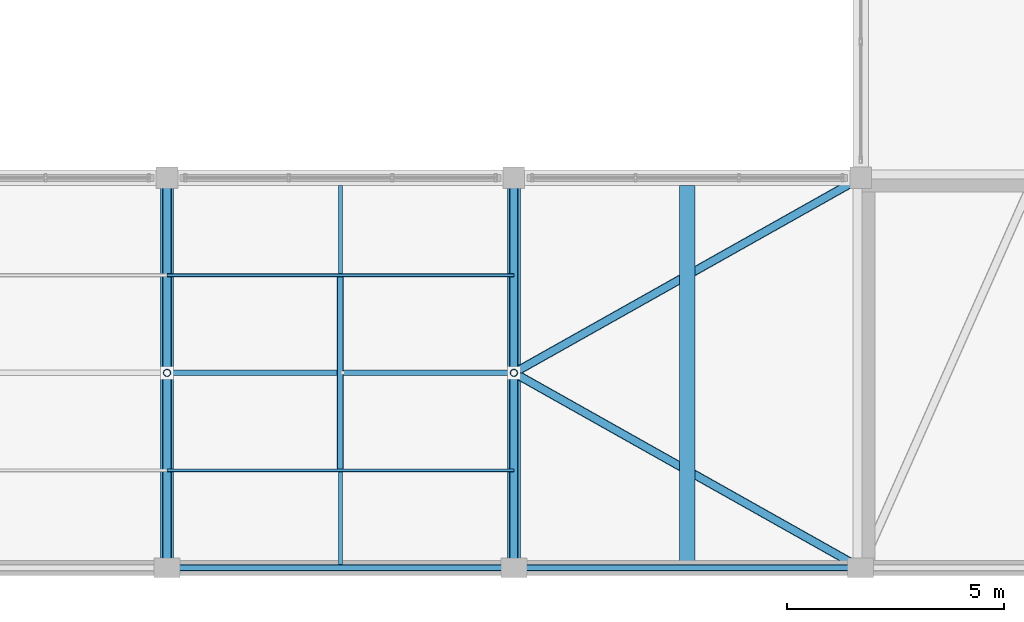
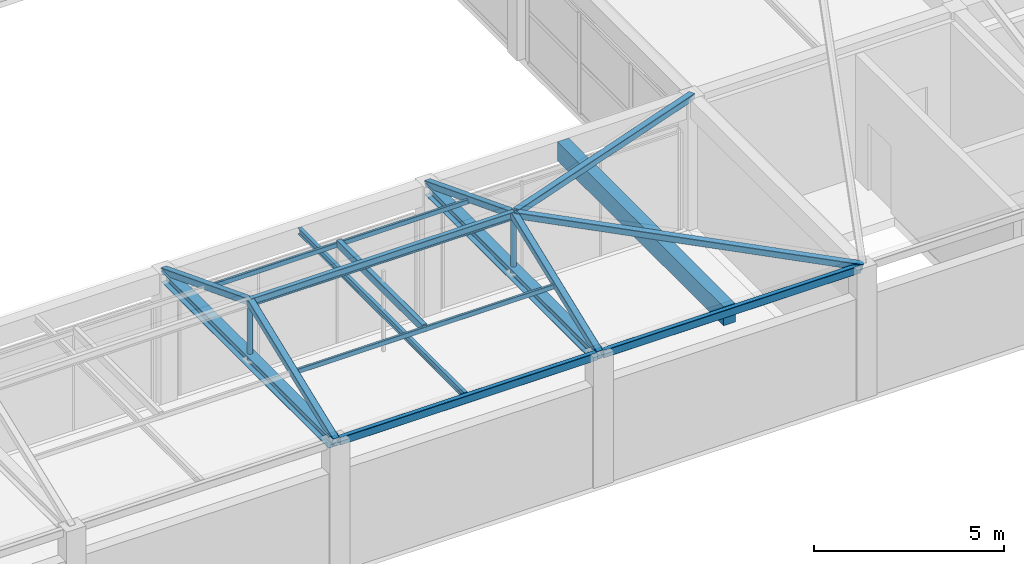
# One storey, part 31 of 65: 11 members, 7 beams.
"""IFC4 building model written with IfcOpenShell, lengths in metres."""

import ifcopenshell
import ifcopenshell.guid

model = None  # the IFC model being written
_history = None  # IfcOwnerHistory: only IFC2X3 demands one
_inside = {}  # id of a spatial element -> (the spatial element, [elements in it])
_under = {}  # id of a project, library or spatial element -> (it, [spatial elements below it])
_declared = {}  # id of a project -> (the project, [libraries it declares])
_typed = {}  # id of a type object -> (the type object, [elements of that type])
_made_of = {}  # id of a material, layer set ... -> (it, [elements and type objects made of it])


def new_model(schema):
    """Start an empty IFC model of exactly this schema.

    Asked for "IFC4X3", IfcOpenShell would pick the latest addendum, in which some entities
    have other attributes; the version numbers below select the first issue.
    IFC2X3 requires an IfcOwnerHistory on every rooted entity: one is made here for all.
    """
    global model, _history
    if schema == "IFC4X3":
        model = ifcopenshell.file(schema_version=(4, 3, 0, 0))
    else:
        model = ifcopenshell.file(schema=schema)
    _inside.clear()
    _under.clear()
    _declared.clear()
    _typed.clear()
    _made_of.clear()
    _history = None
    if model.schema == "IFC2X3":
        org = make("IfcOrganization", Name="unknown")
        user = make(
            "IfcPersonAndOrganization",
            ThePerson=make("IfcPerson", FamilyName="unknown"),
            TheOrganization=org,
        )
        app = make(
            "IfcApplication",
            ApplicationDeveloper=org,
            Version="unknown",
            ApplicationFullName="unknown",
            ApplicationIdentifier="unknown",
        )
        _history = make(
            "IfcOwnerHistory",
            OwningUser=user,
            OwningApplication=app,
            ChangeAction="ADDED",
            CreationDate=0,
        )
    return model


def make(cls, **values):
    """One entity of the class cls with the attributes given. An attribute that is None is left unset."""
    return model.create_entity(
        cls, **{name: value for name, value in values.items() if value is not None}
    )


def rooted(cls, **values):
    """An entity with a GlobalId (a new one), such as an element, a storey or a relation."""
    return make(cls, GlobalId=ifcopenshell.guid.new(), OwnerHistory=_history, **values)


def si_unit(unit_type, name, prefix=None):
    """IfcSIUnit, for example si_unit("LENGTHUNIT", "METRE", prefix="MILLI")."""
    return make("IfcSIUnit", UnitType=unit_type, Prefix=prefix, Name=name)


def assignment(units):
    """IfcUnitAssignment: the units of a project."""
    return None if units is None else make("IfcUnitAssignment", Units=units)


def point(xyz):
    """IfcCartesianPoint."""
    return None if xyz is None else make("IfcCartesianPoint", Coordinates=xyz)


def direction(xyz):
    """IfcDirection."""
    return None if xyz is None else make("IfcDirection", DirectionRatios=xyz)


def frame(location, z_axis=None, x_axis=None):
    """IfcAxis2Placement3D, a coordinate frame: its origin and axes. An axis left out is left unset."""
    return make(
        "IfcAxis2Placement3D",
        Location=point(location),
        Axis=direction(z_axis),
        RefDirection=direction(x_axis),
    )


def frame_2d(location, x_axis=None):
    """IfcAxis2Placement2D, a coordinate frame in the plane: its origin and x axis."""
    return make(
        "IfcAxis2Placement2D", Location=point(location), RefDirection=direction(x_axis)
    )


def origin():
    """The frame at (0, 0, 0) with its axes left unset."""
    return frame((0.0, 0.0, 0.0))


def origin_2d():
    """The frame at (0, 0) in the plane with its x axis left unset."""
    return frame_2d((0.0, 0.0))


def place(relative_to, where):
    """IfcLocalPlacement: puts the frame where relative to a parent placement (None: the world)."""
    return make(
        "IfcLocalPlacement", PlacementRelTo=relative_to, RelativePlacement=where
    )


def context(
    kind, dimensions, precision=None, world=None, true_north=None, identifier=None
):
    """IfcGeometricRepresentationContext, for example the 3D "Model" context."""
    return make(
        "IfcGeometricRepresentationContext",
        ContextIdentifier=identifier,
        ContextType=kind,
        CoordinateSpaceDimension=dimensions,
        Precision=precision,
        WorldCoordinateSystem=world,
        TrueNorth=true_north,
    )


def subcontext(parent, identifier, kind, view, scale=None):
    """IfcGeometricRepresentationSubContext, for example "Body" below "Model"."""
    return make(
        "IfcGeometricRepresentationSubContext",
        ContextIdentifier=identifier,
        ContextType=kind,
        ParentContext=parent,
        TargetScale=scale,
        TargetView=view,
    )


def project(units=None, contexts=None):
    """IfcProject with its units and contexts."""
    return rooted(
        "IfcProject",
        Name="project",
        RepresentationContexts=contexts,
        UnitsInContext=assignment(units),
    )


def spatial(cls, under=None, at=None, **own):
    """A site, building, storey or space (cls), placed at a placement, below another one or the project."""
    s = rooted(cls, ObjectPlacement=at, **own)
    if under is not None:
        _under.setdefault(under.id(), (under, []))[1].append(s)
    return s


def profile(cls, at=None, kind="AREA", **sizes):
    """A parametric profile (cls). Its sizes go by their IFC names, for example OverallWidth=200.0."""
    return make(cls, ProfileType=kind, Position=at, **sizes)


def rectangle(**sizes):
    """IfcRectangleProfileDef."""
    return profile("IfcRectangleProfileDef", **sizes)


def hollow_rectangle(**sizes):
    """IfcRectangleHollowProfileDef."""
    return profile("IfcRectangleHollowProfileDef", **sizes)


def hollow_circle(**sizes):
    """IfcCircleHollowProfileDef."""
    return profile("IfcCircleHollowProfileDef", **sizes)


def i_section(**sizes):
    """IfcIShapeProfileDef."""
    return profile("IfcIShapeProfileDef", **sizes)


def extrude(swept, where, along, depth):
    """IfcExtrudedAreaSolid: the profile swept, set in the frame where, extruded along a direction by depth."""
    return make(
        "IfcExtrudedAreaSolid",
        SweptArea=swept,
        Position=where,
        ExtrudedDirection=direction(along),
        Depth=depth,
    )


def shape(context_of_items, identifier, shape_type, items):
    """IfcShapeRepresentation: the items that make up one representation, for example the "Body"."""
    return make(
        "IfcShapeRepresentation",
        ContextOfItems=context_of_items,
        RepresentationIdentifier=identifier,
        RepresentationType=shape_type,
        Items=items,
    )


def material(Name=None, Category=None):
    """IfcMaterial."""
    return make("IfcMaterial", Name=Name, Category=Category)


def material_profile(
    of_material, cross_section, Name=None, Category=None, Priority=None
):
    """IfcMaterialProfile: a cross section and its material."""
    return make(
        "IfcMaterialProfile",
        Name=Name,
        Material=of_material,
        Profile=cross_section,
        Priority=Priority,
        Category=Category,
    )


def profile_set(profiles, Name=None, composite=None):
    """IfcMaterialProfileSet."""
    return make(
        "IfcMaterialProfileSet",
        Name=Name,
        MaterialProfiles=profiles,
        CompositeProfile=composite,
    )


def made_of(thing, what):
    """Note that an element or type object is made of a material, layer set ...; save() writes the relation."""
    if what is not None:
        _made_of.setdefault(what.id(), (what, []))[1].append(thing)
    return thing


def type_object(cls, material=None, **own):
    """A type object (cls), such as IfcWallType, which elements share."""
    return made_of(rooted(cls, **own), material)


def element(
    cls,
    number,
    at=None,
    inside=None,
    cuts=None,
    type_object=None,
    material=None,
    context=None,
    identifier="Body",
    shape_type=None,
    held_by="IfcProductDefinitionShape",
    body=None,
    shapes=None,
    **own,
):
    """One element of the class cls, such as IfcWall. Its Tag is "e" and its number.

    at: its placement. inside: the storey or other place that contains it. cuts: it is an
    opening in that element (IfcRelVoidsElement). A single representation is given by context,
    identifier, shape_type and body (its items); several are given by shapes. held_by: the class
    of the entity that holds the representations. save() writes the other relations.
    """
    e = rooted(cls, Tag="e%d" % number, ObjectPlacement=at, **own)
    if body is not None:
        shapes = [shape(context, identifier, shape_type, body)]
    if shapes is not None:
        e.Representation = make(held_by, Representations=shapes)
    if inside is not None:
        _inside.setdefault(inside.id(), (inside, []))[1].append(e)
    if cuts is not None:
        rooted(
            "IfcRelVoidsElement", RelatingBuildingElement=cuts, RelatedOpeningElement=e
        )
    if type_object is not None:
        _typed.setdefault(type_object.id(), (type_object, []))[1].append(e)
    return made_of(e, material)


def aggregate(whole, parts):
    """IfcRelAggregates: a whole, such as a stair, and the parts it consists of."""
    return rooted("IfcRelAggregates", RelatingObject=whole, RelatedObjects=parts)


def save(model, path):
    """Write the relations noted so far, then the file.

    IfcRelAggregates (storeys below a building ...), IfcRelContainedInSpatialStructure (elements
    in a storey), IfcRelDefinesByType, IfcRelAssociatesMaterial and IfcRelDeclares: one each for
    every whole, place, type object, material and project.
    """
    for whole, parts in _under.values():
        aggregate(whole, parts)
    for where, things in _inside.values():
        rooted(
            "IfcRelContainedInSpatialStructure",
            RelatedElements=things,
            RelatingStructure=where,
        )
    for kind, things in _typed.values():
        rooted("IfcRelDefinesByType", RelatedObjects=things, RelatingType=kind)
    for what, things in _made_of.values():
        rooted("IfcRelAssociatesMaterial", RelatedObjects=things, RelatingMaterial=what)
    for by, libraries in _declared.values():
        rooted("IfcRelDeclares", RelatingContext=by, RelatedDefinitions=libraries)
    model.write(path)


model = new_model("IFC4")

# Units and contexts
model_context = context("Model", 3, precision=1e-05, world=origin(), true_north=direction((0.0, 1.0)))
body_context = subcontext(model_context, "Body", "Model", "MODEL_VIEW")
ifc_project = project(units=[si_unit("LENGTHUNIT", "METRE"), si_unit("AREAUNIT", "SQUARE_METRE"), si_unit("VOLUMEUNIT", "CUBIC_METRE"), si_unit("PLANEANGLEUNIT", "RADIAN"), si_unit("MASSUNIT", "GRAM", prefix="KILO")], contexts=[model_context])

# Site, building, storey
site_placement = place(None, origin())
site = spatial("IfcSite", under=ifc_project, at=site_placement, CompositionType="ELEMENT")
building_placement = place(site_placement, origin())
building = spatial("IfcBuilding", under=site, at=building_placement, Name="Varnabhumi Central Station", CompositionType="ELEMENT")
storey_placement = place(building_placement, frame((0.0, 0.0, 24.60009765625)))
storey = spatial("IfcBuildingStorey", under=building, at=storey_placement, Name="L05", CompositionType="ELEMENT", Elevation=24.60009765625)

# Beams
ifc_material_1 = material(Name="Structural steel E350", Category="steel")
ifc_material_profile_1 = material_profile(ifc_material_1, hollow_rectangle(XDim=0.14990234375, YDim=0.25, WallThickness=0.010009765625, InnerFilletRadius=0.010009765625, OuterFilletRadius=0.02001953125, at=origin_2d()), Name="Structural steel E350", Category="steel")
ifc_profile_set_1 = profile_set([ifc_material_profile_1], Name="Structural steel E350")
beam_type_1 = type_object("IfcBeamType", Name="BM-EDGE-RHS250", PredefinedType="SPANDREL", material=ifc_profile_set_1)
for number, where, z_axis, x_axis, name in (
    (1, (128.10009765625, 0.0, 4.074951171875), (1.0, 0.0, 0.0), (0.0, 1.0, 0.0), "Beam L05-A:17-18"),
    (2, (136.10009765625, 0.0, 4.074951171875), (1.0, 0.0, 0.0), (0.0, 1.0, 0.0), "Beam L05-A:18-19"),
):
    element("IfcBeam", number, at=place(storey_placement, frame(where, z_axis=z_axis, x_axis=x_axis)), inside=storey, type_object=beam_type_1, Name=name, PredefinedType="SPANDREL", context=body_context, shape_type="SweptSolid", body=[
        extrude(hollow_rectangle(XDim=0.14990234375, YDim=0.25, WallThickness=0.010009765625, InnerFilletRadius=0.010009765625, OuterFilletRadius=0.02001953125, at=origin_2d()), origin(), (0.0, 0.0, 1.0), 7.7998046875),
    ])
ifc_material_profile_2 = material_profile(ifc_material_1, i_section(OverallWidth=0.125, OverallDepth=0.25, WebThickness=0.0068359375, FlangeThickness=0.012451171875, FilletRadius=0.012939453125, at=origin_2d()), Name="Structural steel E350", Category="steel")
ifc_profile_set_2 = profile_set([ifc_material_profile_2], Name="Structural steel E350")
beam_type_2 = type_object("IfcBeamType", Name="BM-PUR-ISMB250", PredefinedType="JOIST", material=ifc_profile_set_2)
beam_1_placement = place(storey_placement, frame((128.0, 4.5, 5.829833984375), z_axis=(1.0, 0.0, 0.0), x_axis=(0.0, 1.0, 0.0)))
element("IfcBeam", 3, at=beam_1_placement, inside=storey, type_object=beam_type_2, Name="Mission Roof Ridge Beam SW6CS-3", PredefinedType="JOIST", context=body_context, shape_type="SweptSolid", body=[
    extrude(i_section(OverallWidth=0.125, OverallDepth=0.25, WebThickness=0.0068359375, FlangeThickness=0.012451171875, FilletRadius=0.012939453125, at=origin_2d()), origin(), (0.0, 0.0, 1.0), 8.0),
])
ifc_material_2 = material(Name="Concrete M40", Category="concrete")
ifc_material_profile_3 = material_profile(ifc_material_2, rectangle(XDim=0.35009765625, YDim=0.60009765625, at=origin_2d()), Name="Concrete M40", Category="concrete")
ifc_profile_set_3 = profile_set([ifc_material_profile_3], Name="Concrete M40")
beam_type_3 = type_object("IfcBeamType", Name="BM-RC-600x350", PredefinedType="JOIST", material=ifc_profile_set_3)
beam_2_placement = place(storey_placement, frame((140.0, 0.074951171875, 3.89990234375), z_axis=(0.0, 1.0, 0.0), x_axis=(-1.0, 0.0, 0.0)))
element("IfcBeam", 4, at=beam_2_placement, inside=storey, type_object=beam_type_3, Name="Secondary Joist L05-18/19:A-B", PredefinedType="JOIST", context=body_context, shape_type="SweptSolid", body=[
    extrude(rectangle(XDim=0.35009765625, YDim=0.60009765625, at=origin_2d()), origin(), (0.0, 0.0, 1.0), 8.75),
])
ifc_material_profile_4 = material_profile(ifc_material_1, i_section(OverallWidth=0.10009765625, OverallDepth=0.199951171875, WebThickness=0.005615234375, FlangeThickness=0.0107421875, FilletRadius=0.010986328125, at=origin_2d()), Name="Structural steel E350", Category="steel")
ifc_profile_set_4 = profile_set([ifc_material_profile_4], Name="Structural steel E350")
beam_type_4 = type_object("IfcBeamType", Name="BM-STL-ISMB200", PredefinedType="JOIST", material=ifc_profile_set_4)
beam_3_placement = place(storey_placement, frame((132.0, 0.074951171875, 4.099853515625), z_axis=(0.0, 1.0, 0.0), x_axis=(-1.0, 0.0, 0.0)))
element("IfcBeam", 5, at=beam_3_placement, inside=storey, type_object=beam_type_4, Name="Secondary Joist L05-17/18:A-B", PredefinedType="JOIST", context=body_context, shape_type="SweptSolid", body=[
    extrude(i_section(OverallWidth=0.10009765625, OverallDepth=0.199951171875, WebThickness=0.005615234375, FlangeThickness=0.0107421875, FilletRadius=0.010986328125, at=origin_2d()), origin(), (0.0, 0.0, 1.0), 8.75),
])
ifc_material_profile_5 = material_profile(ifc_material_1, i_section(OverallWidth=0.300048828125, OverallDepth=0.360107421875, WebThickness=0.012451171875, FlangeThickness=0.0224609375, FilletRadius=0.027099609375, at=origin_2d()), Name="Structural steel E350", Category="steel")
ifc_profile_set_5 = profile_set([ifc_material_profile_5], Name="Structural steel E350")
beam_type_5 = type_object("IfcBeamType", Name="BM-STL-WPB360", PredefinedType="BEAM", material=ifc_profile_set_5)
for number, where, z_axis, x_axis, name in (
    (6, (128.0, 0.10009765625, 4.02001953125), (0.0, 1.0, 0.0), (-1.0, 0.0, 0.0), "Beam L05-17:A-B"),
    (7, (136.0, 0.10009765625, 4.02001953125), (0.0, 1.0, 0.0), (-1.0, 0.0, 0.0), "Beam L05-18:A-B"),
):
    element("IfcBeam", number, at=place(storey_placement, frame(where, z_axis=z_axis, x_axis=x_axis)), inside=storey, type_object=beam_type_5, Name=name, PredefinedType="BEAM", context=body_context, shape_type="SweptSolid", body=[
        extrude(i_section(OverallWidth=0.300048828125, OverallDepth=0.360107421875, WebThickness=0.012451171875, FlangeThickness=0.0224609375, FilletRadius=0.027099609375, at=origin_2d()), origin(), (0.0, 0.0, 1.0), 8.7998046875),
    ])

# Members
ifc_material_profile_6 = material_profile(ifc_material_1, hollow_rectangle(XDim=0.14990234375, YDim=0.25, WallThickness=0.010009765625, InnerFilletRadius=0.010009765625, OuterFilletRadius=0.02001953125, at=origin_2d()), Name="Structural steel E350", Category="steel")
ifc_profile_set_6 = profile_set([ifc_material_profile_6], Name="Structural steel E350")
member_type_1 = type_object("IfcMemberType", Name="MBR-COLLAR-RHS", PredefinedType="COLLAR", material=ifc_profile_set_6)
member_placement = place(storey_placement, frame((132.0, 2.25, 4.94482421875), z_axis=(0.0, 1.0, 0.0), x_axis=(-1.0, 0.0, 0.0)))
element("IfcMember", 8, at=member_placement, inside=storey, type_object=member_type_1, Name="Mission Roof Collar Tie SW6CS-3", PredefinedType="COLLAR", context=body_context, shape_type="SweptSolid", body=[
    extrude(hollow_rectangle(XDim=0.14990234375, YDim=0.25, WallThickness=0.010009765625, InnerFilletRadius=0.010009765625, OuterFilletRadius=0.02001953125, at=origin_2d()), origin(), (0.0, 0.0, 1.0), 4.5),
])
ifc_material_profile_7 = material_profile(ifc_material_1, hollow_rectangle(XDim=0.074951171875, YDim=0.14990234375, WallThickness=0.006103515625, InnerFilletRadius=0.006103515625, OuterFilletRadius=0.011962890625, at=origin_2d()), Name="Structural steel E350", Category="steel")
ifc_profile_set_7 = profile_set([ifc_material_profile_7], Name="Structural steel E350")
member_type_2 = type_object("IfcMemberType", Name="MBR-PURL-RHS150", PredefinedType="PURLIN", material=ifc_profile_set_7)
for number, where, z_axis, x_axis, name in (
    (9, (128.0, 2.25, 4.9248046875), (1.0, 0.0, 0.0), (0.0, 1.0, 0.0), "Mission Roof Purlin SW6CS-3-S"),
    (10, (128.0, 6.75, 4.9248046875), (1.0, 0.0, 0.0), (0.0, 1.0, 0.0), "Mission Roof Purlin SW6CS-3-N"),
):
    element("IfcMember", number, at=place(storey_placement, frame(where, z_axis=z_axis, x_axis=x_axis)), inside=storey, type_object=member_type_2, Name=name, PredefinedType="PURLIN", context=body_context, shape_type="SweptSolid", body=[
        extrude(hollow_rectangle(XDim=0.074951171875, YDim=0.14990234375, WallThickness=0.006103515625, InnerFilletRadius=0.006103515625, OuterFilletRadius=0.011962890625, at=origin_2d()), origin(), (0.0, 0.0, 1.0), 8.0),
    ])
ifc_material_profile_8 = material_profile(ifc_material_1, hollow_rectangle(XDim=0.199951171875, YDim=0.199951171875, WallThickness=0.010009765625, InnerFilletRadius=0.010009765625, OuterFilletRadius=0.02001953125, at=origin_2d()), Name="Structural steel E350", Category="steel")
ifc_profile_set_8 = profile_set([ifc_material_profile_8], Name="Structural steel E350")
member_type_3 = type_object("IfcMemberType", Name="MBR-RAFT-SHS200", PredefinedType="RAFTER", material=ifc_profile_set_8)
for number, where, z_axis, x_axis, name in (
    (11, (144.0, 0.0, 4.10986328125), (-0.856153773676, 0.481586497693, 0.187283637992), (-0.490261239633, -0.871575537125, 0.0), "Mission Roof Hip Rafter SW6CS-WS"),
    (12, (144.0, 9.0, 4.10986328125), (-0.856153773676, -0.481586497693, 0.187283637992), (0.490261239633, -0.871575537125, 0.0), "Mission Roof Hip Rafter SW6CS-WN"),
):
    element("IfcMember", number, at=place(storey_placement, frame(where, z_axis=z_axis, x_axis=x_axis)), inside=storey, type_object=member_type_3, Name=name, PredefinedType="RAFTER", context=body_context, shape_type="SweptSolid", body=[
        extrude(hollow_rectangle(XDim=0.199951171875, YDim=0.199951171875, WallThickness=0.010009765625, InnerFilletRadius=0.010009765625, OuterFilletRadius=0.02001953125, at=origin_2d()), origin(), (0.0, 0.0, 1.0), 9.343994140625),
    ])
for number, where, z_axis, x_axis, name in (
    (13, (128.0, 0.0, 4.10986328125), (0.0, 0.932004671541, 0.362446261155), (-1.0, 0.0, 0.0), "Mission Roof South Rafter SW6CS-3"),
    (14, (128.0, 9.0, 4.10986328125), (0.0, -0.932004671541, 0.362446261155), (1.0, 0.0, 0.0), "Mission Roof North Rafter SW6CS-3"),
    (15, (136.0, 0.0, 4.10986328125), (0.0, 0.932004671541, 0.362446261155), (-1.0, 0.0, 0.0), "Mission Roof South Rafter SW6CS-4"),
    (16, (136.0, 9.0, 4.10986328125), (0.0, -0.932004671541, 0.362446261155), (1.0, 0.0, 0.0), "Mission Roof North Rafter SW6CS-4"),
):
    element("IfcMember", number, at=place(storey_placement, frame(where, z_axis=z_axis, x_axis=x_axis)), inside=storey, type_object=member_type_3, Name=name, PredefinedType="RAFTER", context=body_context, shape_type="SweptSolid", body=[
        extrude(hollow_rectangle(XDim=0.199951171875, YDim=0.199951171875, WallThickness=0.010009765625, InnerFilletRadius=0.010009765625, OuterFilletRadius=0.02001953125, at=origin_2d()), origin(), (0.0, 0.0, 1.0), 4.828369140625),
    ])
ifc_material_profile_9 = material_profile(ifc_material_1, hollow_circle(Radius=0.084228515625, WallThickness=0.008056640625, at=origin_2d()), Name="Structural steel E350", Category="steel")
ifc_profile_set_9 = profile_set([ifc_material_profile_9], Name="Structural steel E350")
member_type_4 = type_object("IfcMemberType", Name="MBR-STRUT-CHS168", PredefinedType="STRUT", material=ifc_profile_set_9)
for number, where, z_axis, x_axis, name in (
    (17, (128.0, 4.5, 3.949951171875), (0.0, 0.0, 1.0), (1.0, 0.0, 0.0), "Mission Roof King Strut SW6CS-3"),
    (18, (136.0, 4.5, 3.949951171875), (0.0, 0.0, 1.0), (1.0, 0.0, 0.0), "Mission Roof King Strut SW6CS-4"),
):
    element("IfcMember", number, at=place(storey_placement, frame(where, z_axis=z_axis, x_axis=x_axis)), inside=storey, type_object=member_type_4, Name=name, PredefinedType="STRUT", context=body_context, shape_type="SweptSolid", body=[
        extrude(hollow_circle(Radius=0.084228515625, WallThickness=0.008056640625, at=origin_2d()), origin(), (0.0, 0.0, 1.0), 1.8798828125),
    ])

save(model, "model.ifc")
